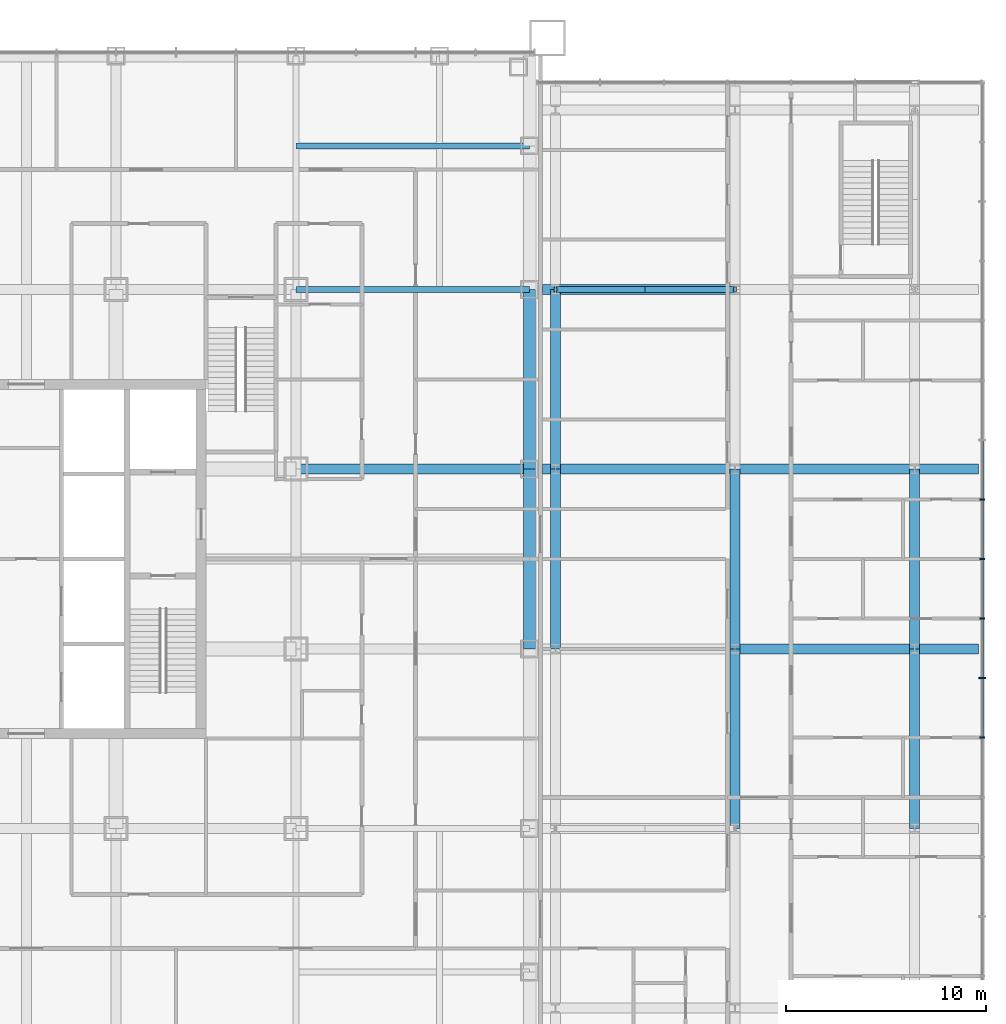
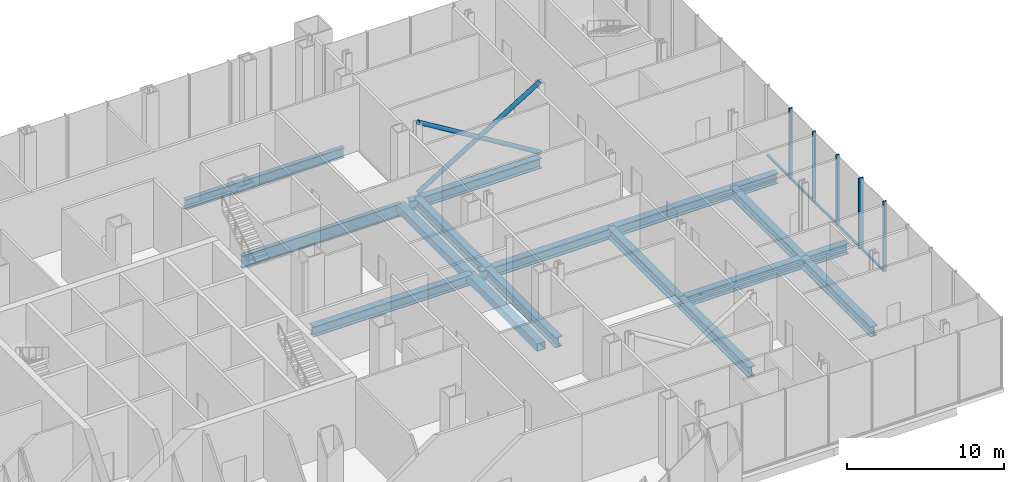
# One storey, part 8 of 25: 15 beams, 12 members, 1 element without a shape of its own.
"""IFC4 building model written with IfcOpenShell, lengths in metres."""

from ifc_helpers import new_model, si_unit, direction, frame, origin, origin_2d, place, context, subcontext, project, spatial, rectangle, hollow_rectangle, hollow_circle, i_section, extrude, material, layer, layer_set, material_profile, profile_set, type_object, element, aggregate, save


model = new_model("IFC4")

# Units and contexts
model_context = context("Model", 3, precision=1e-05, world=origin(), true_north=direction((0.0, 1.0)))
body_context = subcontext(model_context, "Body", "Model", "MODEL_VIEW")
ifc_project = project(units=[si_unit("LENGTHUNIT", "METRE"), si_unit("AREAUNIT", "SQUARE_METRE"), si_unit("VOLUMEUNIT", "CUBIC_METRE"), si_unit("PLANEANGLEUNIT", "RADIAN"), si_unit("MASSUNIT", "GRAM", prefix="KILO")], contexts=[model_context])

# Site, building, storey
site_placement = place(None, origin())
site = spatial("IfcSite", under=ifc_project, at=site_placement, CompositionType="ELEMENT")
building_placement = place(site_placement, origin())
building = spatial("IfcBuilding", under=site, at=building_placement, Name="Malebo Sky Hospital", CompositionType="ELEMENT")
storey_placement = place(building_placement, frame((0.0, 0.0, 11.0)))
storey = spatial("IfcBuildingStorey", under=building, at=storey_placement, Name="L02", CompositionType="ELEMENT", Elevation=11.0)

# Curtain wall, members
ifc_material_1 = material(Name="Anodised aluminium, natural silver", Category="aluminium")
ifc_layer = layer(ifc_material_1, 0.25)
ifc_layer_set = layer_set([ifc_layer], Name="PODIUM CURTAIN WALL")
curtain_wall_type = type_object("IfcCurtainWallType", Name="PODIUM CURTAIN WALL", PredefinedType="NOTDEFINED", material=ifc_layer_set)
curtain_wall_placement = place(storey_placement, origin())
curtain_wall = element("IfcCurtainWall", 1, at=curtain_wall_placement, inside=storey, type_object=curtain_wall_type, Name="POD curtain wall EE", PredefinedType="NOTDEFINED")
ifc_material_profile_1 = material_profile(ifc_material_1, rectangle(XDim=0.14990234375, YDim=0.10009765625, at=origin_2d()), Name="ALUMINIUM TRANSOM 150x100")
ifc_profile_set_1 = profile_set([ifc_material_profile_1], Name="Anodised aluminium, natural silver")
member_type_1 = type_object("IfcMemberType", Name="ALUMINIUM TRANSOM 150x100", PredefinedType="USERDEFINED", material=ifc_profile_set_1)
member_1_placement = place(storey_placement, frame((107.875, 53.08447265625, 0.050048828125), z_axis=(0.0, 1.0, 0.0), x_axis=(-1.0, 0.0, 0.0)))
member_1 = element("IfcMember", 2, at=member_1_placement, type_object=member_type_1, Name="Transom 6", ObjectType="TRANSOM", PredefinedType="USERDEFINED", context=body_context, shape_type="SweptSolid", body=[
    extrude(rectangle(XDim=0.14990234375, YDim=0.10009765625, at=origin_2d()), origin(), (0.0, 0.0, 1.0), 2.9091796875),
])
member_2_placement = place(storey_placement, frame((107.875, 56.068603515625, 0.050048828125), z_axis=(0.0, 1.0, 0.0), x_axis=(-1.0, 0.0, 0.0)))
member_2 = element("IfcMember", 3, at=member_2_placement, type_object=member_type_1, Name="Transom 7", ObjectType="TRANSOM", PredefinedType="USERDEFINED", context=body_context, shape_type="SweptSolid", body=[
    extrude(rectangle(XDim=0.14990234375, YDim=0.10009765625, at=origin_2d()), origin(), (0.0, 0.0, 1.0), 2.909423828125),
])
member_3_placement = place(storey_placement, frame((107.875, 59.052978515625, 0.050048828125), z_axis=(0.0, 1.0, 0.0), x_axis=(-1.0, 0.0, 0.0)))
member_3 = element("IfcMember", 4, at=member_3_placement, type_object=member_type_1, Name="Transom 8", ObjectType="TRANSOM", PredefinedType="USERDEFINED", context=body_context, shape_type="SweptSolid", body=[
    extrude(rectangle(XDim=0.14990234375, YDim=0.10009765625, at=origin_2d()), origin(), (0.0, 0.0, 1.0), 2.909423828125),
])
member_4_placement = place(storey_placement, frame((107.875, 62.03759765625, 0.050048828125), z_axis=(0.0, 1.0, 0.0), x_axis=(-1.0, 0.0, 0.0)))
member_4 = element("IfcMember", 5, at=member_4_placement, type_object=member_type_1, Name="Transom 9", ObjectType="TRANSOM", PredefinedType="USERDEFINED", context=body_context, shape_type="SweptSolid", body=[
    extrude(rectangle(XDim=0.14990234375, YDim=0.10009765625, at=origin_2d()), origin(), (0.0, 0.0, 1.0), 2.909423828125),
])
member_5_placement = place(storey_placement, frame((107.875, 65.02197265625, 0.050048828125), z_axis=(0.0, 1.0, 0.0), x_axis=(-1.0, 0.0, 0.0)))
member_5 = element("IfcMember", 6, at=member_5_placement, type_object=member_type_1, Name="Transom 10", ObjectType="TRANSOM", PredefinedType="USERDEFINED", context=body_context, shape_type="SweptSolid", body=[
    extrude(rectangle(XDim=0.14990234375, YDim=0.10009765625, at=origin_2d()), origin(), (0.0, 0.0, 1.0), 2.909423828125),
])
ifc_material_profile_2 = material_profile(ifc_material_1, rectangle(XDim=0.074951171875, YDim=0.25, at=origin_2d()), Name="CW3 ALUMINIUM FIN MULLION 75x250")
ifc_profile_set_2 = profile_set([ifc_material_profile_2], Name="Anodised aluminium, natural silver")
member_type_2 = type_object("IfcMemberType", Name="CW3 ALUMINIUM FIN MULLION 75x250", PredefinedType="MULLION", material=ifc_profile_set_2)
member_6_placement = place(storey_placement, frame((107.875, 53.046875, 0.0), z_axis=(0.0, 0.0, 1.0), x_axis=(0.0, 1.0, 0.0)))
member_6 = element("IfcMember", 7, at=member_6_placement, type_object=member_type_2, Name="Fin mullion 6", PredefinedType="MULLION", context=body_context, shape_type="SweptSolid", body=[
    extrude(rectangle(XDim=0.074951171875, YDim=0.25, at=origin_2d()), origin(), (0.0, 0.0, 1.0), 5.5),
])
member_7_placement = place(storey_placement, frame((107.875, 59.015625, 0.0), z_axis=(0.0, 0.0, 1.0), x_axis=(0.0, 1.0, 0.0)))
member_7 = element("IfcMember", 8, at=member_7_placement, type_object=member_type_2, Name="Fin mullion 8", PredefinedType="MULLION", context=body_context, shape_type="SweptSolid", body=[
    extrude(rectangle(XDim=0.074951171875, YDim=0.25, at=origin_2d()), origin(), (0.0, 0.0, 1.0), 5.5),
])
member_8_placement = place(storey_placement, frame((107.875, 62.0, 0.0), z_axis=(0.0, 0.0, 1.0), x_axis=(0.0, 1.0, 0.0)))
member_8 = element("IfcMember", 9, at=member_8_placement, type_object=member_type_2, Name="Fin mullion 9", PredefinedType="MULLION", context=body_context, shape_type="SweptSolid", body=[
    extrude(rectangle(XDim=0.074951171875, YDim=0.25, at=origin_2d()), origin(), (0.0, 0.0, 1.0), 5.5),
])
member_9_placement = place(storey_placement, frame((107.875, 64.984375, 0.0), z_axis=(0.0, 0.0, 1.0), x_axis=(0.0, 1.0, 0.0)))
member_9 = element("IfcMember", 10, at=member_9_placement, type_object=member_type_2, Name="Fin mullion 10", PredefinedType="MULLION", context=body_context, shape_type="SweptSolid", body=[
    extrude(rectangle(XDim=0.074951171875, YDim=0.25, at=origin_2d()), origin(), (0.0, 0.0, 1.0), 5.5),
])
ifc_material_profile_3 = material_profile(ifc_material_1, rectangle(XDim=0.074951171875, YDim=0.35009765625, at=origin_2d()), Name="CW3 ALUMINIUM FIN MULLION 75x350")
ifc_profile_set_3 = profile_set([ifc_material_profile_3], Name="Anodised aluminium, natural silver")
member_type_3 = type_object("IfcMemberType", Name="CW3 ALUMINIUM FIN MULLION 75x350", PredefinedType="MULLION", material=ifc_profile_set_3)
member_10_placement = place(storey_placement, frame((107.875, 56.03125, 0.0), z_axis=(0.0, 0.0, 1.0), x_axis=(0.0, 1.0, 0.0)))
member_10 = element("IfcMember", 11, at=member_10_placement, type_object=member_type_3, Name="Fin mullion 7", PredefinedType="MULLION", context=body_context, shape_type="SweptSolid", body=[
    extrude(rectangle(XDim=0.074951171875, YDim=0.35009765625, at=origin_2d()), origin(), (0.0, 0.0, 1.0), 5.5),
])
aggregate(curtain_wall, [member_6, member_10, member_7, member_8, member_9, member_1, member_2, member_3, member_4, member_5])

# Beams
ifc_material_2 = material(Name="Steel S460", Category="steel")
ifc_material_profile_4 = material_profile(ifc_material_2, hollow_rectangle(XDim=0.60009765625, YDim=0.60009765625, WallThickness=0.0400390625, at=origin_2d()), Name="BOX 600x600x40")
ifc_profile_set_4 = profile_set([ifc_material_profile_4], Name="Steel S460")
beam_type_1 = type_object("IfcBeamType", Name="EDGE BEAM BOX 600x600x40", PredefinedType="BEAM", material=ifc_profile_set_4)
for number, where, z_axis, x_axis, name in (
    (12, (85.199951171875, 57.5, -0.60009765625), (0.0, 1.0, 0.0), (-1.0, 0.0, 0.0), "Beam 034 L02"),
    (13, (85.199951171875, 66.5, -0.60009765625), (0.0, 1.0, 0.0), (-1.0, 0.0, 0.0), "Beam 035 L02"),
):
    element("IfcBeam", number, at=place(storey_placement, frame(where, z_axis=z_axis, x_axis=x_axis)), inside=storey, type_object=beam_type_1, Name=name, PredefinedType="BEAM", context=body_context, shape_type="SweptSolid", body=[
        extrude(hollow_rectangle(XDim=0.60009765625, YDim=0.60009765625, WallThickness=0.0400390625, at=origin_2d()), origin(), (0.0, 0.0, 1.0), 9.0),
    ])
ifc_material_3 = material(Name="Steel S355", Category="steel")
ifc_material_profile_5 = material_profile(ifc_material_3, i_section(OverallWidth=0.300048828125, OverallDepth=0.800048828125, WebThickness=0.017578125, FlangeThickness=0.032958984375, FilletRadius=0.030029296875, at=origin_2d()), Name="HEB 800")
ifc_profile_set_5 = profile_set([ifc_material_profile_5], Name="Steel S355")
beam_type_2 = type_object("IfcBeamType", Name="FLOOR BEAM HEB 800", PredefinedType="BEAM", material=ifc_profile_set_5)
beam_1_placement = place(storey_placement, frame((73.5, 82.699951171875, -0.699951171875), z_axis=(1.0, 0.0, 0.0), x_axis=(0.0, 1.0, 0.0)))
element("IfcBeam", 14, at=beam_1_placement, inside=storey, type_object=beam_type_2, Name="Beam 068 L02", PredefinedType="BEAM", context=body_context, shape_type="SweptSolid", body=[
    extrude(i_section(OverallWidth=0.300048828125, OverallDepth=0.800048828125, WebThickness=0.017578125, FlangeThickness=0.032958984375, FilletRadius=0.030029296875, at=origin_2d()), origin(), (0.0, 0.0, 1.0), 11.699951171875),
])
ifc_material_profile_6 = material_profile(ifc_material_3, i_section(OverallWidth=0.5, OverallDepth=0.800048828125, WebThickness=0.030029296875, FlangeThickness=0.050048828125, at=origin_2d()), Name="PG 800x500x30x50")
ifc_profile_set_6 = profile_set([ifc_material_profile_6], Name="Steel S355")
beam_type_3 = type_object("IfcBeamType", Name="FLOOR BEAM PG 800x500x30x50", PredefinedType="BEAM", material=ifc_profile_set_6)
beam_2_placement = place(storey_placement, frame((73.5, 66.5, -0.699951171875), z_axis=(1.0, 0.0, 0.0), x_axis=(0.0, 1.0, 0.0)))
element("IfcBeam", 15, at=beam_2_placement, inside=storey, type_object=beam_type_3, Name="Beam 061 L02", PredefinedType="BEAM", context=body_context, shape_type="SweptSolid", body=[
    extrude(i_section(OverallWidth=0.5, OverallDepth=0.800048828125, WebThickness=0.030029296875, FlangeThickness=0.050048828125, at=origin_2d()), origin(), (0.0, 0.0, 1.0), 11.699951171875),
])
for number, where, z_axis, x_axis, name in (
    (16, (86.5, 57.5, -0.699951171875), (0.0, 1.0, 0.0), (-1.0, 0.0, 0.0), "Beam E003 L02"),
    (17, (86.5, 66.5, -0.699951171875), (0.0, 1.0, 0.0), (-1.0, 0.0, 0.0), "Beam E004 L02"),
    (18, (95.5, 48.5, -0.699951171875), (0.0, 1.0, 0.0), (-1.0, 0.0, 0.0), "Beam E007 L02"),
    (19, (95.5, 57.5, -0.699951171875), (0.0, 1.0, 0.0), (-1.0, 0.0, 0.0), "Beam E008 L02"),
    (20, (104.5, 48.5, -0.699951171875), (0.0, 1.0, 0.0), (-1.0, 0.0, 0.0), "Beam E012 L02"),
    (21, (104.5, 57.5, -0.699951171875), (0.0, 1.0, 0.0), (-1.0, 0.0, 0.0), "Beam E013 L02"),
):
    element("IfcBeam", number, at=place(storey_placement, frame(where, z_axis=z_axis, x_axis=x_axis)), inside=storey, type_object=beam_type_3, Name=name, PredefinedType="BEAM", context=body_context, shape_type="SweptSolid", body=[
        extrude(i_section(OverallWidth=0.5, OverallDepth=0.800048828125, WebThickness=0.030029296875, FlangeThickness=0.050048828125, at=origin_2d()), origin(), (0.0, 0.0, 1.0), 9.0),
    ])
beam_3_placement = place(storey_placement, frame((95.5, 57.5, -0.699951171875), z_axis=(1.0, 0.0, 0.0), x_axis=(0.0, 1.0, 0.0)))
element("IfcBeam", 22, at=beam_3_placement, inside=storey, type_object=beam_type_3, Name="Beam E021 L02", PredefinedType="BEAM", context=body_context, shape_type="SweptSolid", body=[
    extrude(i_section(OverallWidth=0.5, OverallDepth=0.800048828125, WebThickness=0.030029296875, FlangeThickness=0.050048828125, at=origin_2d()), origin(), (0.0, 0.0, 1.0), 12.199951171875),
])
beam_4_placement = place(storey_placement, frame((85.85009765625, 66.5, -0.699951171875), z_axis=(1.0, 0.0, 0.0), x_axis=(0.0, 1.0, 0.0)))
element("IfcBeam", 23, at=beam_4_placement, inside=storey, type_object=beam_type_3, Name="Beam E022 L02", PredefinedType="BEAM", context=body_context, shape_type="SweptSolid", body=[
    extrude(i_section(OverallWidth=0.5, OverallDepth=0.800048828125, WebThickness=0.030029296875, FlangeThickness=0.050048828125, at=origin_2d()), origin(), (0.0, 0.0, 1.0), 9.64990234375),
])
beam_5_placement = place(storey_placement, frame((95.5, 66.5, -0.699951171875), z_axis=(1.0, 0.0, 0.0), x_axis=(0.0, 1.0, 0.0)))
element("IfcBeam", 24, at=beam_5_placement, inside=storey, type_object=beam_type_3, Name="Beam E023 L02", PredefinedType="BEAM", context=body_context, shape_type="SweptSolid", body=[
    extrude(i_section(OverallWidth=0.5, OverallDepth=0.800048828125, WebThickness=0.030029296875, FlangeThickness=0.050048828125, at=origin_2d()), origin(), (0.0, 0.0, 1.0), 12.199951171875),
])
beam_6_placement = place(storey_placement, frame((85.85009765625, 75.5, -0.699951171875), z_axis=(1.0, 0.0, 0.0), x_axis=(0.0, 1.0, 0.0)))
element("IfcBeam", 25, at=beam_6_placement, inside=storey, type_object=beam_type_3, Name="Beam E024 L02", PredefinedType="BEAM", context=body_context, shape_type="SweptSolid", body=[
    extrude(i_section(OverallWidth=0.5, OverallDepth=0.800048828125, WebThickness=0.030029296875, FlangeThickness=0.050048828125, at=origin_2d()), origin(), (0.0, 0.0, 1.0), 9.64990234375),
])
ifc_material_profile_7 = material_profile(ifc_material_3, i_section(OverallWidth=0.300048828125, OverallDepth=1.0, WebThickness=0.01904296875, FlangeThickness=0.035888671875, FilletRadius=0.030029296875, at=origin_2d()), Name="HEB 1000")
ifc_profile_set_7 = profile_set([ifc_material_profile_7], Name="Steel S355")
beam_type_4 = type_object("IfcBeamType", Name="FLOOR GIRDER HEB 1000", PredefinedType="BEAM", material=ifc_profile_set_7)
beam_7_placement = place(storey_placement, frame((73.5, 75.5, -0.800048828125), z_axis=(1.0, 0.0, 0.0), x_axis=(0.0, 1.0, 0.0)))
element("IfcBeam", 26, at=beam_7_placement, inside=storey, type_object=beam_type_4, Name="Beam 066 L02", PredefinedType="BEAM", context=body_context, shape_type="SweptSolid", body=[
    extrude(i_section(OverallWidth=0.300048828125, OverallDepth=1.0, WebThickness=0.01904296875, FlangeThickness=0.035888671875, FilletRadius=0.030029296875, at=origin_2d()), origin(), (0.0, 0.0, 1.0), 11.699951171875),
])

# Members
ifc_material_profile_8 = material_profile(ifc_material_2, hollow_circle(Radius=0.161865234375, WallThickness=0.012451171875, at=origin_2d()), Name="CHS 323.9x12.5")
ifc_profile_set_8 = profile_set([ifc_material_profile_8], Name="Steel S460")
member_type_4 = type_object("IfcMemberType", Name="WING BRACE CHS 323.9x12.5", PredefinedType="BRACE", material=ifc_profile_set_8)
for number, where, z_axis, x_axis, name in (
    (27, (86.5, 75.5, 0.0), (0.853281833652, 0.0, 0.521450009454), (0.0, 1.0, 0.0), "Wing brace E3.1 L02"),
    (28, (95.5, 75.5, 0.0), (-0.853281833652, 0.0, 0.521450009454), (0.0, -1.0, 0.0), "Wing brace E3.2 L02"),
):
    element("IfcMember", number, at=place(storey_placement, frame(where, z_axis=z_axis, x_axis=x_axis)), inside=storey, type_object=member_type_4, Name=name, PredefinedType="BRACE", context=body_context, shape_type="SweptSolid", body=[
        extrude(hollow_circle(Radius=0.161865234375, WallThickness=0.012451171875, at=origin_2d()), origin(), (0.0, 0.0, 1.0), 10.547607421875),
    ])

save(model, "model.ifc")
